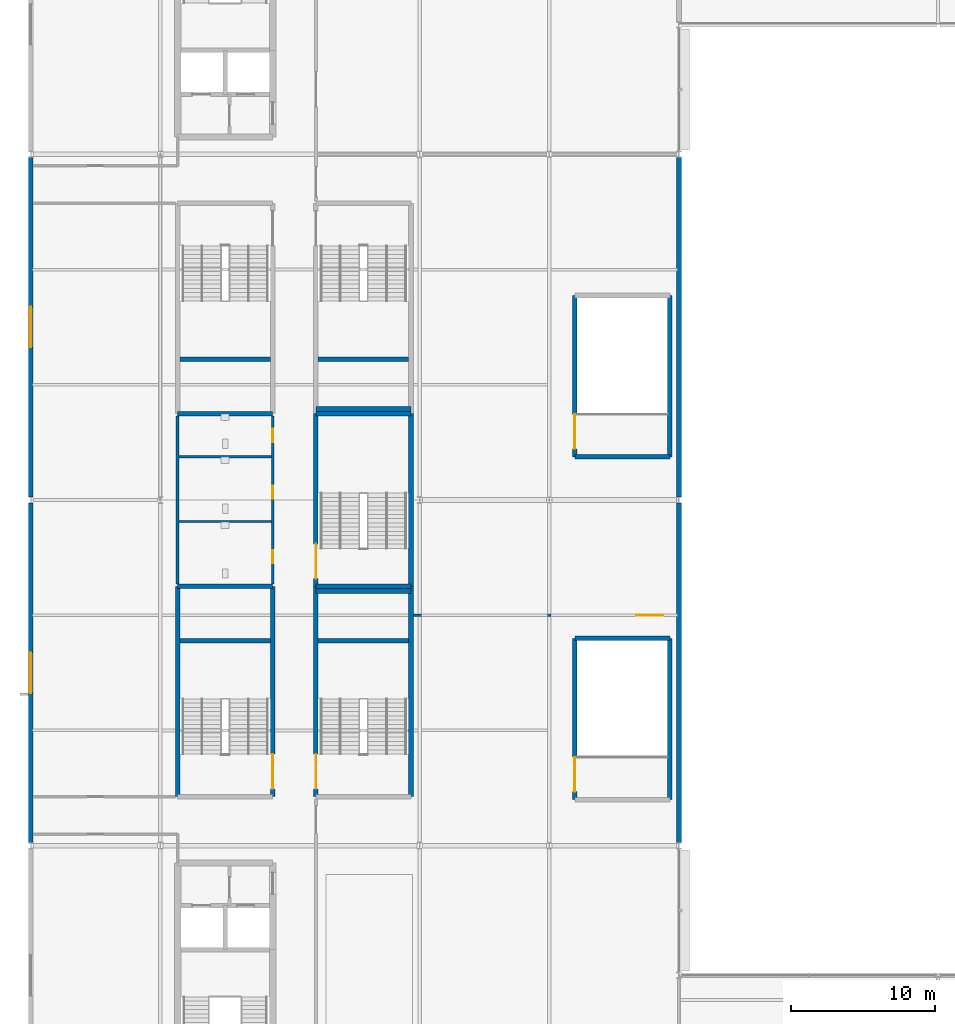
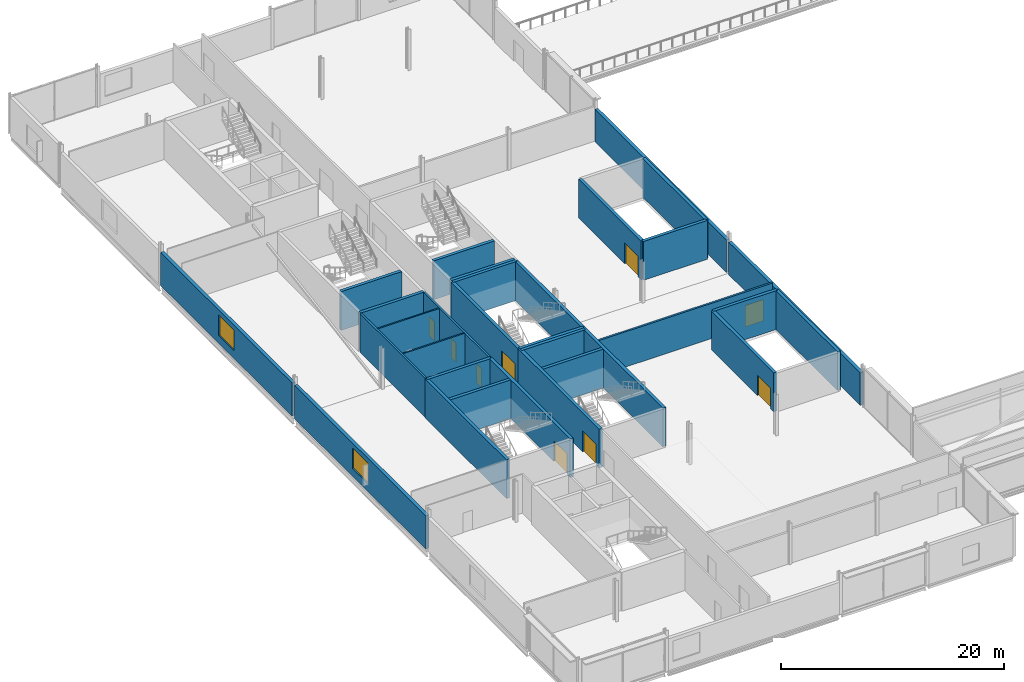
# One storey, part 37 of 73: 31 walls, 9 doors, 2 windows, 11 openings.
"""IFC4 building model written with IfcOpenShell, lengths in metres."""

import ifcopenshell
import ifcopenshell.guid

model = None  # the IFC model being written
_history = None  # IfcOwnerHistory: only IFC2X3 demands one
_inside = {}  # id of a spatial element -> (the spatial element, [elements in it])
_under = {}  # id of a project, library or spatial element -> (it, [spatial elements below it])
_declared = {}  # id of a project -> (the project, [libraries it declares])
_typed = {}  # id of a type object -> (the type object, [elements of that type])
_made_of = {}  # id of a material, layer set ... -> (it, [elements and type objects made of it])


def new_model(schema):
    """Start an empty IFC model of exactly this schema.

    Asked for "IFC4X3", IfcOpenShell would pick the latest addendum, in which some entities
    have other attributes; the version numbers below select the first issue.
    IFC2X3 requires an IfcOwnerHistory on every rooted entity: one is made here for all.
    """
    global model, _history
    if schema == "IFC4X3":
        model = ifcopenshell.file(schema_version=(4, 3, 0, 0))
    else:
        model = ifcopenshell.file(schema=schema)
    _inside.clear()
    _under.clear()
    _declared.clear()
    _typed.clear()
    _made_of.clear()
    _history = None
    if model.schema == "IFC2X3":
        org = make("IfcOrganization", Name="unknown")
        user = make(
            "IfcPersonAndOrganization",
            ThePerson=make("IfcPerson", FamilyName="unknown"),
            TheOrganization=org,
        )
        app = make(
            "IfcApplication",
            ApplicationDeveloper=org,
            Version="unknown",
            ApplicationFullName="unknown",
            ApplicationIdentifier="unknown",
        )
        _history = make(
            "IfcOwnerHistory",
            OwningUser=user,
            OwningApplication=app,
            ChangeAction="ADDED",
            CreationDate=0,
        )
    return model


def make(cls, **values):
    """One entity of the class cls with the attributes given. An attribute that is None is left unset."""
    return model.create_entity(
        cls, **{name: value for name, value in values.items() if value is not None}
    )


def rooted(cls, **values):
    """An entity with a GlobalId (a new one), such as an element, a storey or a relation."""
    return make(cls, GlobalId=ifcopenshell.guid.new(), OwnerHistory=_history, **values)


def si_unit(unit_type, name, prefix=None):
    """IfcSIUnit, for example si_unit("LENGTHUNIT", "METRE", prefix="MILLI")."""
    return make("IfcSIUnit", UnitType=unit_type, Prefix=prefix, Name=name)


def assignment(units):
    """IfcUnitAssignment: the units of a project."""
    return None if units is None else make("IfcUnitAssignment", Units=units)


def point(xyz):
    """IfcCartesianPoint."""
    return None if xyz is None else make("IfcCartesianPoint", Coordinates=xyz)


def direction(xyz):
    """IfcDirection."""
    return None if xyz is None else make("IfcDirection", DirectionRatios=xyz)


def frame(location, z_axis=None, x_axis=None):
    """IfcAxis2Placement3D, a coordinate frame: its origin and axes. An axis left out is left unset."""
    return make(
        "IfcAxis2Placement3D",
        Location=point(location),
        Axis=direction(z_axis),
        RefDirection=direction(x_axis),
    )


def frame_2d(location, x_axis=None):
    """IfcAxis2Placement2D, a coordinate frame in the plane: its origin and x axis."""
    return make(
        "IfcAxis2Placement2D", Location=point(location), RefDirection=direction(x_axis)
    )


def origin():
    """The frame at (0, 0, 0) with its axes left unset."""
    return frame((0.0, 0.0, 0.0))


def place(relative_to, where):
    """IfcLocalPlacement: puts the frame where relative to a parent placement (None: the world)."""
    return make(
        "IfcLocalPlacement", PlacementRelTo=relative_to, RelativePlacement=where
    )


def context(
    kind, dimensions, precision=None, world=None, true_north=None, identifier=None
):
    """IfcGeometricRepresentationContext, for example the 3D "Model" context."""
    return make(
        "IfcGeometricRepresentationContext",
        ContextIdentifier=identifier,
        ContextType=kind,
        CoordinateSpaceDimension=dimensions,
        Precision=precision,
        WorldCoordinateSystem=world,
        TrueNorth=true_north,
    )


def subcontext(parent, identifier, kind, view, scale=None):
    """IfcGeometricRepresentationSubContext, for example "Body" below "Model"."""
    return make(
        "IfcGeometricRepresentationSubContext",
        ContextIdentifier=identifier,
        ContextType=kind,
        ParentContext=parent,
        TargetScale=scale,
        TargetView=view,
    )


def project(units=None, contexts=None):
    """IfcProject with its units and contexts."""
    return rooted(
        "IfcProject",
        Name="project",
        RepresentationContexts=contexts,
        UnitsInContext=assignment(units),
    )


def spatial(cls, under=None, at=None, **own):
    """A site, building, storey or space (cls), placed at a placement, below another one or the project."""
    s = rooted(cls, ObjectPlacement=at, **own)
    if under is not None:
        _under.setdefault(under.id(), (under, []))[1].append(s)
    return s


def profile(cls, at=None, kind="AREA", **sizes):
    """A parametric profile (cls). Its sizes go by their IFC names, for example OverallWidth=200.0."""
    return make(cls, ProfileType=kind, Position=at, **sizes)


def rectangle(**sizes):
    """IfcRectangleProfileDef."""
    return profile("IfcRectangleProfileDef", **sizes)


def extrude(swept, where, along, depth):
    """IfcExtrudedAreaSolid: the profile swept, set in the frame where, extruded along a direction by depth."""
    return make(
        "IfcExtrudedAreaSolid",
        SweptArea=swept,
        Position=where,
        ExtrudedDirection=direction(along),
        Depth=depth,
    )


def shape(context_of_items, identifier, shape_type, items):
    """IfcShapeRepresentation: the items that make up one representation, for example the "Body"."""
    return make(
        "IfcShapeRepresentation",
        ContextOfItems=context_of_items,
        RepresentationIdentifier=identifier,
        RepresentationType=shape_type,
        Items=items,
    )


def material(Name=None, Category=None):
    """IfcMaterial."""
    return make("IfcMaterial", Name=Name, Category=Category)


def layer(
    of_material, thickness, ventilated=None, Name=None, Category=None, Priority=None
):
    """IfcMaterialLayer: one layer of a wall or slab, of a material (None: an air gap)."""
    return make(
        "IfcMaterialLayer",
        Material=of_material,
        LayerThickness=thickness,
        IsVentilated=ventilated,
        Name=Name,
        Category=Category,
        Priority=Priority,
    )


def layer_set(layers, Name=None):
    """IfcMaterialLayerSet."""
    return make("IfcMaterialLayerSet", MaterialLayers=layers, LayerSetName=Name)


def made_of(thing, what):
    """Note that an element or type object is made of a material, layer set ...; save() writes the relation."""
    if what is not None:
        _made_of.setdefault(what.id(), (what, []))[1].append(thing)
    return thing


def type_object(cls, material=None, **own):
    """A type object (cls), such as IfcWallType, which elements share."""
    return made_of(rooted(cls, **own), material)


def element(
    cls,
    number,
    at=None,
    inside=None,
    cuts=None,
    type_object=None,
    material=None,
    context=None,
    identifier="Body",
    shape_type=None,
    held_by="IfcProductDefinitionShape",
    body=None,
    shapes=None,
    **own,
):
    """One element of the class cls, such as IfcWall. Its Tag is "e" and its number.

    at: its placement. inside: the storey or other place that contains it. cuts: it is an
    opening in that element (IfcRelVoidsElement). A single representation is given by context,
    identifier, shape_type and body (its items); several are given by shapes. held_by: the class
    of the entity that holds the representations. save() writes the other relations.
    """
    e = rooted(cls, Tag="e%d" % number, ObjectPlacement=at, **own)
    if body is not None:
        shapes = [shape(context, identifier, shape_type, body)]
    if shapes is not None:
        e.Representation = make(held_by, Representations=shapes)
    if inside is not None:
        _inside.setdefault(inside.id(), (inside, []))[1].append(e)
    if cuts is not None:
        rooted(
            "IfcRelVoidsElement", RelatingBuildingElement=cuts, RelatedOpeningElement=e
        )
    if type_object is not None:
        _typed.setdefault(type_object.id(), (type_object, []))[1].append(e)
    return made_of(e, material)


def fill(opening, filler):
    """IfcRelFillsElement: the door or window that sits in an opening."""
    return rooted(
        "IfcRelFillsElement",
        RelatingOpeningElement=opening,
        RelatedBuildingElement=filler,
    )


def aggregate(whole, parts):
    """IfcRelAggregates: a whole, such as a stair, and the parts it consists of."""
    return rooted("IfcRelAggregates", RelatingObject=whole, RelatedObjects=parts)


def save(model, path):
    """Write the relations noted so far, then the file.

    IfcRelAggregates (storeys below a building ...), IfcRelContainedInSpatialStructure (elements
    in a storey), IfcRelDefinesByType, IfcRelAssociatesMaterial and IfcRelDeclares: one each for
    every whole, place, type object, material and project.
    """
    for whole, parts in _under.values():
        aggregate(whole, parts)
    for where, things in _inside.values():
        rooted(
            "IfcRelContainedInSpatialStructure",
            RelatedElements=things,
            RelatingStructure=where,
        )
    for kind, things in _typed.values():
        rooted("IfcRelDefinesByType", RelatedObjects=things, RelatingType=kind)
    for what, things in _made_of.values():
        rooted("IfcRelAssociatesMaterial", RelatedObjects=things, RelatingMaterial=what)
    for by, libraries in _declared.values():
        rooted("IfcRelDeclares", RelatingContext=by, RelatedDefinitions=libraries)
    model.write(path)


model = new_model("IFC4")

# Units and contexts
model_context = context("Model", 3, precision=1e-05, world=origin(), true_north=direction((0.0, 1.0)))
body_context = subcontext(model_context, "Body", "Model", "MODEL_VIEW")
ifc_project = project(units=[si_unit("LENGTHUNIT", "METRE"), si_unit("AREAUNIT", "SQUARE_METRE"), si_unit("VOLUMEUNIT", "CUBIC_METRE"), si_unit("PLANEANGLEUNIT", "RADIAN"), si_unit("MASSUNIT", "GRAM", prefix="KILO")], contexts=[model_context])

# Site, building, storey
site_placement = place(None, origin())
site = spatial("IfcSite", under=ifc_project, at=site_placement, CompositionType="ELEMENT")
building_placement = place(site_placement, origin())
building = spatial("IfcBuilding", under=site, at=building_placement, Name="Kisiwana Market Hall", CompositionType="ELEMENT")
storey_placement = place(building_placement, frame((0.0, 0.0, 33.300048828125)))
storey = spatial("IfcBuildingStorey", under=building, at=storey_placement, Name="L07", CompositionType="ELEMENT", Elevation=33.300048828125)

# Wall
ifc_material_1 = material(Name="Masonry blockwork", Category="masonry")
ifc_layer_1 = layer(ifc_material_1, 0.199951171875, Name="Plastered fire compartment block wall")
ifc_layer_set_1 = layer_set([ifc_layer_1], Name="WL-COMP-200")
wall_type_1 = type_object("IfcWallType", Name="WL-COMP-200", PredefinedType="PARTITIONING", material=ifc_layer_set_1)
wall_1_placement = place(storey_placement, frame((10.199951171875, 54.159912109375, 0.0), z_axis=(0.0, 0.0, 1.0), x_axis=(0.0, 1.0, 0.0)))
element("IfcWall", 1, at=wall_1_placement, inside=storey, type_object=wall_type_1, Name="Interior partition W-2208", PredefinedType="PARTITIONING", context=body_context, shape_type="SweptSolid", body=[
    extrude(rectangle(XDim=11.68017578125, YDim=0.199951171875, at=frame_2d((5.840087890625, 0.0))), origin(), (0.0, 0.0, 1.0), 4.2548828125),
])

# Wall, openings, doors
wall_2_placement = place(storey_placement, frame((16.800048828125, 54.159912109375, 0.0), z_axis=(0.0, 0.0, 1.0), x_axis=(0.0, 1.0, 0.0)))
wall_2 = element("IfcWall", 2, at=wall_2_placement, inside=storey, type_object=wall_type_1, Name="Interior partition W-2209", PredefinedType="PARTITIONING", context=body_context, shape_type="SweptSolid", body=[
    extrude(rectangle(XDim=11.68017578125, YDim=0.199951171875, at=frame_2d((5.840087890625, 0.0))), origin(), (0.0, 0.0, 1.0), 4.2548828125),
])
opening_1_placement = place(wall_2_placement, frame((1.43994140625, 0.0, 0.0)))
opening_1 = element("IfcOpeningElement", 3, at=opening_1_placement, cuts=wall_2, Name="Opening DR-L07-027", PredefinedType="OPENING", context=body_context, shape_type="SweptSolid", body=[
    extrude(rectangle(XDim=0.89990234375, YDim=2.10009765625, at=frame_2d((0.449951171875, 1.050048828125))), frame((0.0, 0.11181640625, 0.0), z_axis=(0.0, -1.0, 0.0), x_axis=(1.0, 0.0, 0.0)), (0.0, 0.0, 1.0), 0.223876953125),
])
opening_2_placement = place(wall_2_placement, frame((5.93994140625, 0.0, 0.0)))
opening_2 = element("IfcOpeningElement", 4, at=opening_2_placement, cuts=wall_2, Name="Opening DR-L07-028", PredefinedType="OPENING", context=body_context, shape_type="SweptSolid", body=[
    extrude(rectangle(XDim=0.89990234375, YDim=2.10009765625, at=frame_2d((0.449951171875, 1.050048828125))), frame((0.0, 0.11181640625, 0.0), z_axis=(0.0, -1.0, 0.0), x_axis=(1.0, 0.0, 0.0)), (0.0, 0.0, 1.0), 0.223876953125),
])
opening_3_placement = place(wall_2_placement, frame((9.840087890625, 0.0, 0.0)))
opening_3 = element("IfcOpeningElement", 5, at=opening_3_placement, cuts=wall_2, Name="Opening DR-L07-029", PredefinedType="OPENING", context=body_context, shape_type="SweptSolid", body=[
    extrude(rectangle(XDim=0.949951171875, YDim=2.10009765625, at=frame_2d((0.47509765625, 1.050048828125))), frame((0.0, 0.11181640625, 0.0), z_axis=(0.0, -1.0, 0.0), x_axis=(1.0, 0.0, 0.0)), (0.0, 0.0, 1.0), 0.223876953125),
])
ifc_material_2 = material(Name="Aluminium alloy 6063-T6", Category="aluminium")
door_type_1 = type_object("IfcDoorType", Name="DR-WC-ACC-950", OperationType="NOTDEFINED", PredefinedType="DOOR", material=ifc_material_2)
door_1_placement = place(opening_3_placement, origin())
door_1 = element("IfcDoor", 6, at=door_1_placement, inside=storey, type_object=door_type_1, Name="L07 W Accessible WC Door", OperationType="SINGLE_SWING_RIGHT", OverallHeight=2.10009765625, OverallWidth=0.949951171875, PredefinedType="DOOR", context=body_context, shape_type="SweptSolid", body=[
    extrude(rectangle(XDim=0.949951171875, YDim=2.10009765625, at=frame_2d((0.47509765625, 1.050048828125))), frame((0.0, 0.02490234375, 0.0), z_axis=(0.0, -1.0, 0.0), x_axis=(1.0, 0.0, 0.0)), (0.0, 0.0, 1.0), 0.050048828125),
])
fill(opening_3, door_1)
ifc_material_3 = material(Name="Aluminium alloy 6063-T6", Category="aluminium")
door_type_2 = type_object("IfcDoorType", Name="DR-WC-STD-900", OperationType="NOTDEFINED", PredefinedType="DOOR", material=ifc_material_3)
door_2_placement = place(opening_1_placement, origin())
door_2 = element("IfcDoor", 7, at=door_2_placement, inside=storey, type_object=door_type_2, Name="L07 W Male Toilet Door", OperationType="SINGLE_SWING_LEFT", OverallHeight=2.10009765625, OverallWidth=0.89990234375, PredefinedType="DOOR", context=body_context, shape_type="SweptSolid", body=[
    extrude(rectangle(XDim=0.89990234375, YDim=2.10009765625, at=frame_2d((0.449951171875, 1.050048828125))), frame((0.0, 0.02490234375, 0.0), z_axis=(0.0, -1.0, 0.0), x_axis=(1.0, 0.0, 0.0)), (0.0, 0.0, 1.0), 0.050048828125),
])
fill(opening_1, door_2)
door_3_placement = place(opening_2_placement, origin())
door_3 = element("IfcDoor", 8, at=door_3_placement, inside=storey, type_object=door_type_2, Name="L07 W Female Toilet Door", OperationType="SINGLE_SWING_RIGHT", OverallHeight=2.10009765625, OverallWidth=0.89990234375, PredefinedType="DOOR", context=body_context, shape_type="SweptSolid", body=[
    extrude(rectangle(XDim=0.89990234375, YDim=2.10009765625, at=frame_2d((0.449951171875, 1.050048828125))), frame((0.0, 0.02490234375, 0.0), z_axis=(0.0, -1.0, 0.0), x_axis=(1.0, 0.0, 0.0)), (0.0, 0.0, 1.0), 0.050048828125),
])
fill(opening_2, door_3)

# Wall, opening, door
wall_3_placement = place(storey_placement, frame((26.56005859375, 52.0, 0.0), z_axis=(0.0, 0.0, 1.0), x_axis=(1.0, 0.0, 0.0)))
wall_3 = element("IfcWall", 9, at=wall_3_placement, inside=storey, type_object=wall_type_1, Name="Interior partition W-2226", PredefinedType="PARTITIONING", context=body_context, shape_type="SweptSolid", body=[
    extrude(rectangle(XDim=18.27001953125, YDim=0.199951171875, at=frame_2d((9.135009765625, 0.0))), origin(), (0.0, 0.0, 1.0), 3.868408203125),
])
opening_4_placement = place(wall_3_placement, frame((15.4599609375, 0.0, 0.0)))
opening_4 = element("IfcOpeningElement", 10, at=opening_4_placement, cuts=wall_3, Name="Opening DR-L07-037", PredefinedType="OPENING", context=body_context, shape_type="SweptSolid", body=[
    extrude(rectangle(XDim=1.89990234375, YDim=2.35009765625, at=frame_2d((0.949951171875, 1.175048828125))), frame((0.0, 0.11181640625, 0.0), z_axis=(0.0, -1.0, 0.0), x_axis=(1.0, 0.0, 0.0)), (0.0, 0.0, 1.0), 0.223876953125),
])
ifc_material_4 = material(Name="Steel S275", Category="steel")
door_type_3 = type_object("IfcDoorType", Name="DR-HALL-1900", OperationType="DOUBLE_DOOR_SINGLE_SWING", PredefinedType="DOOR", material=ifc_material_4)
door_4_placement = place(opening_4_placement, origin())
door_4 = element("IfcDoor", 11, at=door_4_placement, inside=storey, type_object=door_type_3, Name="L07 W Town-Hall Briefing Room Exit Door", OperationType="DOUBLE_DOOR_SINGLE_SWING", OverallHeight=2.35009765625, OverallWidth=1.89990234375, PredefinedType="DOOR", context=body_context, shape_type="SweptSolid", body=[
    extrude(rectangle(XDim=1.89990234375, YDim=2.35009765625, at=frame_2d((0.949951171875, 1.175048828125))), frame((0.0, 0.02490234375, 0.0), z_axis=(0.0, -1.0, 0.0), x_axis=(1.0, 0.0, 0.0)), (0.0, 0.0, 1.0), 0.050048828125),
])
fill(opening_4, door_4)

# Walls
ifc_material_5 = material(Name="Concrete C40/50", Category="concrete")
ifc_layer_2 = layer(ifc_material_5, 0.320068359375, Name="Reinforced concrete shaft wall")
ifc_layer_set_2 = layer_set([ifc_layer_2], Name="WL-CORE-320")
wall_type_2 = type_object("IfcWallType", Name="WL-CORE-320", PredefinedType="SHEAR", material=ifc_layer_set_2)
wall_4_placement = place(storey_placement, frame((10.199951171875, 54.0, 0.0), z_axis=(0.0, 0.0, 1.0), x_axis=(1.0, 0.0, 0.0)))
element("IfcWall", 12, at=wall_4_placement, inside=storey, type_object=wall_type_2, Name="Core W3 north shear wall W-2115", PredefinedType="SHEAR", context=body_context, shape_type="SweptSolid", body=[
    extrude(rectangle(XDim=6.60009765625, YDim=0.320068359375, at=frame_2d((3.300048828125, 0.0))), origin(), (0.0, 0.0, 1.0), 4.2548828125),
])
wall_5_placement = place(storey_placement, frame((10.199951171875, 39.39990234375, 0.0), z_axis=(0.0, 0.0, 1.0), x_axis=(0.0, 1.0, 0.0)))
element("IfcWall", 13, at=wall_5_placement, inside=storey, type_object=wall_type_2, Name="Core W3 outer shear wall W-2116", PredefinedType="SHEAR", context=body_context, shape_type="SweptSolid", body=[
    extrude(rectangle(XDim=14.60009765625, YDim=0.320068359375, at=frame_2d((7.300048828125, 0.0))), origin(), (0.0, 0.0, 1.0), 4.2548828125),
])

# Wall, opening, door
wall_6_placement = place(storey_placement, frame((16.800048828125, 39.39990234375, 0.0), z_axis=(0.0, 0.0, 1.0), x_axis=(0.0, 1.0, 0.0)))
wall_6 = element("IfcWall", 14, at=wall_6_placement, inside=storey, type_object=wall_type_2, Name="Core W3 corridor shear wall W-2117", PredefinedType="SHEAR", context=body_context, shape_type="SweptSolid", body=[
    extrude(rectangle(XDim=14.60009765625, YDim=0.320068359375, at=frame_2d((7.300048828125, 0.0))), origin(), (0.0, 0.0, 1.0), 4.2548828125),
])
opening_5_placement = place(wall_6_placement, frame((0.550048828125, 0.0, 0.0)))
opening_5 = element("IfcOpeningElement", 15, at=opening_5_placement, cuts=wall_6, Name="Opening DR-L07-013", PredefinedType="OPENING", context=body_context, shape_type="SweptSolid", body=[
    extrude(rectangle(XDim=2.39990234375, YDim=2.25, at=frame_2d((1.199951171875, 1.125))), frame((0.0, 0.171875, 0.0), z_axis=(0.0, -1.0, 0.0), x_axis=(1.0, 0.0, 0.0)), (0.0, 0.0, 1.0), 0.343994140625),
])
ifc_material_6 = material(Name="Steel S275", Category="steel")
door_type_4 = type_object("IfcDoorType", Name="DR-STAIR-FD120-2400", OperationType="DOUBLE_DOOR_SINGLE_SWING", PredefinedType="DOOR", material=ifc_material_6)
door_5_placement = place(opening_5_placement, origin())
door_5 = element("IfcDoor", 16, at=door_5_placement, inside=storey, type_object=door_type_4, Name="Escape Stair W3 Fire Door (L07)", OperationType="DOUBLE_DOOR_SINGLE_SWING", OverallHeight=2.25, OverallWidth=2.39990234375, PredefinedType="DOOR", context=body_context, shape_type="SweptSolid", body=[
    extrude(rectangle(XDim=2.39990234375, YDim=2.25, at=frame_2d((1.199951171875, 1.125))), frame((0.0, 0.02490234375, 0.0), z_axis=(0.0, -1.0, 0.0), x_axis=(1.0, 0.0, 0.0)), (0.0, 0.0, 1.0), 0.050048828125),
])
fill(opening_5, door_5)

# Walls
wall_7_placement = place(storey_placement, frame((10.360107421875, 50.219970703125, 0.0), z_axis=(0.0, 0.0, 1.0), x_axis=(1.0, 0.0, 0.0)))
element("IfcWall", 17, at=wall_7_placement, inside=storey, type_object=wall_type_2, Name="Core W3 riser divider shear wall W-2118", PredefinedType="SHEAR", context=body_context, shape_type="SweptSolid", body=[
    extrude(rectangle(XDim=6.27978515625, YDim=0.320068359375, at=frame_2d((3.139892578125, 0.0))), origin(), (0.0, 0.0, 1.0), 4.2548828125),
])
wall_8_placement = place(storey_placement, frame((10.199951171875, 66.0, 0.0), z_axis=(0.0, 0.0, 1.0), x_axis=(1.0, 0.0, 0.0)))
element("IfcWall", 18, at=wall_8_placement, inside=storey, type_object=wall_type_2, Name="Core W4 south shear wall W-2119", PredefinedType="SHEAR", context=body_context, shape_type="SweptSolid", body=[
    extrude(rectangle(XDim=6.60009765625, YDim=0.320068359375, at=frame_2d((3.300048828125, 0.0))), origin(), (0.0, 0.0, 1.0), 4.2548828125),
])
wall_9_placement = place(storey_placement, frame((10.360107421875, 69.780029296875, 0.0), z_axis=(0.0, 0.0, 1.0), x_axis=(1.0, 0.0, 0.0)))
element("IfcWall", 19, at=wall_9_placement, inside=storey, type_object=wall_type_2, Name="Core W4 riser divider shear wall W-2123", PredefinedType="SHEAR", context=body_context, shape_type="SweptSolid", body=[
    extrude(rectangle(XDim=6.27978515625, YDim=0.320068359375, at=frame_2d((3.139892578125, 0.0))), origin(), (0.0, 0.0, 1.0), 4.2548828125),
])
wall_10_placement = place(storey_placement, frame((19.800048828125, 54.0, 0.0), z_axis=(0.0, 0.0, 1.0), x_axis=(1.0, 0.0, 0.0)))
element("IfcWall", 20, at=wall_10_placement, inside=storey, type_object=wall_type_2, Name="Core W7 north shear wall W-2135", PredefinedType="SHEAR", context=body_context, shape_type="SweptSolid", body=[
    extrude(rectangle(XDim=6.599853515625, YDim=0.320068359375, at=frame_2d((3.2998046875, 0.0))), origin(), (0.0, 0.0, 1.0), 4.2548828125),
])

# Wall, opening, door
wall_11_placement = place(storey_placement, frame((19.800048828125, 39.39990234375, 0.0), z_axis=(0.0, 0.0, 1.0), x_axis=(0.0, 1.0, 0.0)))
wall_11 = element("IfcWall", 21, at=wall_11_placement, inside=storey, type_object=wall_type_2, Name="Core W7 corridor shear wall W-2136", PredefinedType="SHEAR", context=body_context, shape_type="SweptSolid", body=[
    extrude(rectangle(XDim=14.60009765625, YDim=0.320068359375, at=frame_2d((7.300048828125, 0.0))), origin(), (0.0, 0.0, 1.0), 4.2548828125),
])
opening_6_placement = place(wall_11_placement, frame((0.550048828125, 0.0, 0.0)))
opening_6 = element("IfcOpeningElement", 22, at=opening_6_placement, cuts=wall_11, Name="Opening DR-L07-017", PredefinedType="OPENING", context=body_context, shape_type="SweptSolid", body=[
    extrude(rectangle(XDim=2.39990234375, YDim=2.25, at=frame_2d((1.199951171875, 1.125))), frame((0.0, 0.171875, 0.0), z_axis=(0.0, -1.0, 0.0), x_axis=(1.0, 0.0, 0.0)), (0.0, 0.0, 1.0), 0.343994140625),
])
door_6_placement = place(opening_6_placement, frame((2.39990234375, 0.0, 0.0), z_axis=(0.0, 0.0, 1.0), x_axis=(-1.0, 0.0, 0.0)))
door_6 = element("IfcDoor", 23, at=door_6_placement, inside=storey, type_object=door_type_4, Name="Escape Stair W7 Fire Door (L07)", OperationType="DOUBLE_DOOR_SINGLE_SWING", OverallHeight=2.25, OverallWidth=2.39990234375, PredefinedType="DOOR", context=body_context, shape_type="SweptSolid", body=[
    extrude(rectangle(XDim=2.39990234375, YDim=2.25, at=frame_2d((1.199951171875, 1.125))), frame((0.0, 0.02490234375, 0.0), z_axis=(0.0, -1.0, 0.0), x_axis=(1.0, 0.0, 0.0)), (0.0, 0.0, 1.0), 0.050048828125),
])
fill(opening_6, door_6)

# Walls
wall_12_placement = place(storey_placement, frame((26.39990234375, 39.39990234375, 0.0), z_axis=(0.0, 0.0, 1.0), x_axis=(0.0, 1.0, 0.0)))
element("IfcWall", 24, at=wall_12_placement, inside=storey, type_object=wall_type_2, Name="Core W7 outer shear wall W-2137", PredefinedType="SHEAR", context=body_context, shape_type="SweptSolid", body=[
    extrude(rectangle(XDim=14.60009765625, YDim=0.320068359375, at=frame_2d((7.300048828125, 0.0))), origin(), (0.0, 0.0, 1.0), 4.2548828125),
])
wall_13_placement = place(storey_placement, frame((19.9599609375, 50.219970703125, 0.0), z_axis=(0.0, 0.0, 1.0), x_axis=(1.0, 0.0, 0.0)))
element("IfcWall", 25, at=wall_13_placement, inside=storey, type_object=wall_type_2, Name="Core W7 riser divider shear wall W-2138", PredefinedType="SHEAR", context=body_context, shape_type="SweptSolid", body=[
    extrude(rectangle(XDim=6.280029296875, YDim=0.320068359375, at=frame_2d((3.14013671875, 0.0))), origin(), (0.0, 0.0, 1.0), 4.2548828125),
])
wall_14_placement = place(storey_placement, frame((19.800048828125, 66.0, 0.0), z_axis=(0.0, 0.0, 1.0), x_axis=(1.0, 0.0, 0.0)))
element("IfcWall", 26, at=wall_14_placement, inside=storey, type_object=wall_type_2, Name="Core W8 south shear wall W-2144", PredefinedType="SHEAR", context=body_context, shape_type="SweptSolid", body=[
    extrude(rectangle(XDim=6.599853515625, YDim=0.320068359375, at=frame_2d((3.2998046875, 0.0))), origin(), (0.0, 0.0, 1.0), 4.2548828125),
])
wall_15_placement = place(storey_placement, frame((19.9599609375, 69.780029296875, 0.0), z_axis=(0.0, 0.0, 1.0), x_axis=(1.0, 0.0, 0.0)))
element("IfcWall", 27, at=wall_15_placement, inside=storey, type_object=wall_type_2, Name="Core W8 riser divider shear wall W-2148", PredefinedType="SHEAR", context=body_context, shape_type="SweptSolid", body=[
    extrude(rectangle(XDim=6.280029296875, YDim=0.320068359375, at=frame_2d((3.14013671875, 0.0))), origin(), (0.0, 0.0, 1.0), 4.2548828125),
])
wall_16_placement = place(storey_placement, frame((37.77001953125, 50.39990234375, 0.0), z_axis=(0.0, 0.0, 1.0), x_axis=(1.0, 0.0, 0.0)))
element("IfcWall", 28, at=wall_16_placement, inside=storey, type_object=wall_type_2, Name="Core W9 north shear wall W-2155", PredefinedType="SHEAR", context=body_context, shape_type="SweptSolid", body=[
    extrude(rectangle(XDim=6.60009765625, YDim=0.320068359375, at=frame_2d((3.300048828125, 0.0))), origin(), (0.0, 0.0, 1.0), 4.2548828125),
])

# Wall, opening, door
wall_17_placement = place(storey_placement, frame((37.77001953125, 39.199951171875, 0.0), z_axis=(0.0, 0.0, 1.0), x_axis=(0.0, 1.0, 0.0)))
wall_17 = element("IfcWall", 29, at=wall_17_placement, inside=storey, type_object=wall_type_2, Name="Core W9 corridor shear wall W-2156", PredefinedType="SHEAR", context=body_context, shape_type="SweptSolid", body=[
    extrude(rectangle(XDim=11.199951171875, YDim=0.320068359375, at=frame_2d((5.60009765625, 0.0))), origin(), (0.0, 0.0, 1.0), 4.2548828125),
])
opening_7_placement = place(wall_17_placement, frame((0.550048828125, 0.0, 0.0)))
opening_7 = element("IfcOpeningElement", 30, at=opening_7_placement, cuts=wall_17, Name="Opening DR-L07-021", PredefinedType="OPENING", context=body_context, shape_type="SweptSolid", body=[
    extrude(rectangle(XDim=2.39990234375, YDim=2.25, at=frame_2d((1.199951171875, 1.125))), frame((0.0, 0.171875, 0.0), z_axis=(0.0, -1.0, 0.0), x_axis=(1.0, 0.0, 0.0)), (0.0, 0.0, 1.0), 0.343994140625),
])
door_7_placement = place(opening_7_placement, frame((2.39990234375, 0.0, 0.0), z_axis=(0.0, 0.0, 1.0), x_axis=(-1.0, 0.0, 0.0)))
door_7 = element("IfcDoor", 31, at=door_7_placement, inside=storey, type_object=door_type_4, Name="Escape Stair W9 Fire Door (L07)", OperationType="DOUBLE_DOOR_SINGLE_SWING", OverallHeight=2.25, OverallWidth=2.39990234375, PredefinedType="DOOR", context=body_context, shape_type="SweptSolid", body=[
    extrude(rectangle(XDim=2.39990234375, YDim=2.25, at=frame_2d((1.199951171875, 1.125))), frame((0.0, 0.02490234375, 0.0), z_axis=(0.0, -1.0, 0.0), x_axis=(1.0, 0.0, 0.0)), (0.0, 0.0, 1.0), 0.050048828125),
])
fill(opening_7, door_7)

# Walls
wall_18_placement = place(storey_placement, frame((44.3701171875, 39.199951171875, 0.0), z_axis=(0.0, 0.0, 1.0), x_axis=(0.0, 1.0, 0.0)))
element("IfcWall", 32, at=wall_18_placement, inside=storey, type_object=wall_type_2, Name="Core W9 outer shear wall W-2157", PredefinedType="SHEAR", context=body_context, shape_type="SweptSolid", body=[
    extrude(rectangle(XDim=11.199951171875, YDim=0.320068359375, at=frame_2d((5.60009765625, 0.0))), origin(), (0.0, 0.0, 1.0), 4.2548828125),
])
wall_19_placement = place(storey_placement, frame((37.77001953125, 63.0, 0.0), z_axis=(0.0, 0.0, 1.0), x_axis=(1.0, 0.0, 0.0)))
element("IfcWall", 33, at=wall_19_placement, inside=storey, type_object=wall_type_2, Name="Core W10 south shear wall W-2162", PredefinedType="SHEAR", context=body_context, shape_type="SweptSolid", body=[
    extrude(rectangle(XDim=6.60009765625, YDim=0.320068359375, at=frame_2d((3.300048828125, 0.0))), origin(), (0.0, 0.0, 1.0), 4.2548828125),
])

# Wall, opening, door
wall_20_placement = place(storey_placement, frame((37.77001953125, 63.0, 0.0), z_axis=(0.0, 0.0, 1.0), x_axis=(0.0, 1.0, 0.0)))
wall_20 = element("IfcWall", 34, at=wall_20_placement, inside=storey, type_object=wall_type_2, Name="Core W10 corridor shear wall W-2164", PredefinedType="SHEAR", context=body_context, shape_type="SweptSolid", body=[
    extrude(rectangle(XDim=11.199951171875, YDim=0.320068359375, at=frame_2d((5.60009765625, 0.0))), origin(), (0.0, 0.0, 1.0), 4.2548828125),
])
opening_8_placement = place(wall_20_placement, frame((0.550048828125, 0.0, 0.0)))
opening_8 = element("IfcOpeningElement", 35, at=opening_8_placement, cuts=wall_20, Name="Opening DR-L07-023", PredefinedType="OPENING", context=body_context, shape_type="SweptSolid", body=[
    extrude(rectangle(XDim=2.39990234375, YDim=2.25, at=frame_2d((1.199951171875, 1.125))), frame((0.0, 0.171875, 0.0), z_axis=(0.0, -1.0, 0.0), x_axis=(1.0, 0.0, 0.0)), (0.0, 0.0, 1.0), 0.343994140625),
])
door_8_placement = place(opening_8_placement, frame((2.39990234375, 0.0, 0.0), z_axis=(0.0, 0.0, 1.0), x_axis=(-1.0, 0.0, 0.0)))
door_8 = element("IfcDoor", 36, at=door_8_placement, inside=storey, type_object=door_type_4, Name="Escape Stair W10 Fire Door (L07)", OperationType="DOUBLE_DOOR_SINGLE_SWING", OverallHeight=2.25, OverallWidth=2.39990234375, PredefinedType="DOOR", context=body_context, shape_type="SweptSolid", body=[
    extrude(rectangle(XDim=2.39990234375, YDim=2.25, at=frame_2d((1.199951171875, 1.125))), frame((0.0, 0.02490234375, 0.0), z_axis=(0.0, -1.0, 0.0), x_axis=(1.0, 0.0, 0.0)), (0.0, 0.0, 1.0), 0.050048828125),
])
fill(opening_8, door_8)

# Walls
wall_21_placement = place(storey_placement, frame((44.3701171875, 63.0, 0.0), z_axis=(0.0, 0.0, 1.0), x_axis=(0.0, 1.0, 0.0)))
element("IfcWall", 37, at=wall_21_placement, inside=storey, type_object=wall_type_2, Name="Core W10 outer shear wall W-2165", PredefinedType="SHEAR", context=body_context, shape_type="SweptSolid", body=[
    extrude(rectangle(XDim=11.199951171875, YDim=0.320068359375, at=frame_2d((5.60009765625, 0.0))), origin(), (0.0, 0.0, 1.0), 4.2548828125),
])
for number, where, z_axis, x_axis, name in (
    (38, (19.800048828125, 53.679931640625, 0.0), (0.0, 0.0, 1.0), (1.0, 0.0, 0.0), "Core W5 south shear wall W-2170"),
    (39, (19.800048828125, 66.320068359375, 0.0), (0.0, 0.0, 1.0), (1.0, 0.0, 0.0), "Core W5 north shear wall W-2171"),
):
    element("IfcWall", number, at=place(storey_placement, frame(where, z_axis=z_axis, x_axis=x_axis)), inside=storey, type_object=wall_type_2, Name=name, PredefinedType="SHEAR", context=body_context, shape_type="SweptSolid", body=[
        extrude(rectangle(XDim=6.599853515625, YDim=0.320068359375, at=frame_2d((3.2998046875, 0.0))), origin(), (0.0, 0.0, 1.0), 4.2548828125),
    ])

# Wall, opening, door
wall_22_placement = place(storey_placement, frame((19.800048828125, 54.0, 0.0), z_axis=(0.0, 0.0, 1.0), x_axis=(0.0, 1.0, 0.0)))
wall_22 = element("IfcWall", 40, at=wall_22_placement, inside=storey, type_object=wall_type_2, Name="Core W5 corridor shear wall W-2172", PredefinedType="SHEAR", context=body_context, shape_type="SweptSolid", body=[
    extrude(rectangle(XDim=12.0, YDim=0.320068359375, at=frame_2d((6.0, 0.0))), origin(), (0.0, 0.0, 1.0), 4.2548828125),
])
opening_9_placement = place(wall_22_placement, frame((0.550048828125, 0.0, 0.0)))
opening_9 = element("IfcOpeningElement", 41, at=opening_9_placement, cuts=wall_22, Name="Opening DR-L07-025", PredefinedType="OPENING", context=body_context, shape_type="SweptSolid", body=[
    extrude(rectangle(XDim=2.39990234375, YDim=2.25, at=frame_2d((1.199951171875, 1.125))), frame((0.0, 0.171875, 0.0), z_axis=(0.0, -1.0, 0.0), x_axis=(1.0, 0.0, 0.0)), (0.0, 0.0, 1.0), 0.343994140625),
])
door_9_placement = place(opening_9_placement, frame((2.39990234375, 0.0, 0.0), z_axis=(0.0, 0.0, 1.0), x_axis=(-1.0, 0.0, 0.0)))
door_9 = element("IfcDoor", 42, at=door_9_placement, inside=storey, type_object=door_type_4, Name="Escape Stair W5 Fire Door (L07)", OperationType="DOUBLE_DOOR_SINGLE_SWING", OverallHeight=2.25, OverallWidth=2.39990234375, PredefinedType="DOOR", context=body_context, shape_type="SweptSolid", body=[
    extrude(rectangle(XDim=2.39990234375, YDim=2.25, at=frame_2d((1.199951171875, 1.125))), frame((0.0, 0.02490234375, 0.0), z_axis=(0.0, -1.0, 0.0), x_axis=(1.0, 0.0, 0.0)), (0.0, 0.0, 1.0), 0.050048828125),
])
fill(opening_9, door_9)

# Wall
wall_23_placement = place(storey_placement, frame((26.39990234375, 54.0, 0.0), z_axis=(0.0, 0.0, 1.0), x_axis=(0.0, 1.0, 0.0)))
element("IfcWall", 43, at=wall_23_placement, inside=storey, type_object=wall_type_2, Name="Core W5 outer shear wall W-2173", PredefinedType="SHEAR", context=body_context, shape_type="SweptSolid", body=[
    extrude(rectangle(XDim=12.0, YDim=0.320068359375, at=frame_2d((6.0, 0.0))), origin(), (0.0, 0.0, 1.0), 4.2548828125),
])

# Wall, opening, window
ifc_material_7 = material(Name="Concrete C40/50 precast", Category="concrete")
ifc_layer_3 = layer(ifc_material_7, 0.14990234375, Name="Precast architectural concrete spandrel")
ifc_material_8 = material(Name="Mineral wool insulation")
ifc_layer_4 = layer(ifc_material_8, 0.090087890625, Name="Rockwool thermal insulation")
ifc_material_9 = material(Name="Masonry blockwork", Category="masonry")
ifc_layer_5 = layer(ifc_material_9, 0.10009765625, Name="Inner masonry block leaf")
ifc_layer_set_3 = layer_set([ifc_layer_3, ifc_layer_4, ifc_layer_5], Name="WL-EXT-PREC-340")
wall_type_3 = type_object("IfcWallType", Name="WL-EXT-PREC-340", PredefinedType="STANDARD", material=ifc_layer_set_3)
wall_24_placement = place(storey_placement, frame((0.0, 36.197998046875, 0.0), z_axis=(0.0, 0.0, 1.0), x_axis=(0.0, 1.0, 0.0)))
wall_24 = element("IfcWall", 44, at=wall_24_placement, inside=storey, type_object=wall_type_3, Name="Exterior wall W-2189", PredefinedType="STANDARD", context=body_context, shape_type="SweptSolid", body=[
    extrude(rectangle(XDim=23.60400390625, YDim=0.340087890625, at=frame_2d((11.802001953125, 0.0))), origin(), (0.0, 0.0, 1.0), 3.642822265625),
])
opening_10_placement = place(wall_24_placement, frame((10.402099609375, 0.0, 0.85009765625)))
opening_10 = element("IfcOpeningElement", 45, at=opening_10_placement, cuts=wall_24, Name="Opening WN-03", PredefinedType="OPENING", context=body_context, shape_type="SweptSolid", body=[
    extrude(rectangle(XDim=2.800048828125, YDim=2.25, at=frame_2d((1.39990234375, 1.125))), frame((0.0, 0.18212890625, 0.0), z_axis=(0.0, -1.0, 0.0), x_axis=(1.0, 0.0, 0.0)), (0.0, 0.0, 1.0), 0.364013671875),
])
ifc_material_10 = material(Name="Double-glazed solar-control low-E IGU", Category="glass")
window_type = type_object("IfcWindowType", Name="WN-SKYB-2800x2250", PartitioningType="SINGLE_PANEL", PredefinedType="WINDOW", material=ifc_material_10)
window_1_placement = place(opening_10_placement, origin())
window_1 = element("IfcWindow", 46, at=window_1_placement, inside=storey, type_object=window_type, Name="Exterior window WN-219", OverallHeight=2.25, OverallWidth=2.800048828125, PartitioningType="SINGLE_PANEL", PredefinedType="WINDOW", context=body_context, shape_type="SweptSolid", body=[
    extrude(rectangle(XDim=2.800048828125, YDim=2.25, at=frame_2d((1.39990234375, 1.125))), frame((0.0, 0.030029296875, 0.0), z_axis=(0.0, -1.0, 0.0), x_axis=(1.0, 0.0, 0.0)), (0.0, 0.0, 1.0), 0.06005859375),
])
fill(opening_10, window_1)

wall_25_placement = place(storey_placement, frame((0.0, 60.197998046875, 0.0), z_axis=(0.0, 0.0, 1.0), x_axis=(0.0, 1.0, 0.0)))
wall_25 = element("IfcWall", 47, at=wall_25_placement, inside=storey, type_object=wall_type_3, Name="Exterior wall W-2190", PredefinedType="STANDARD", context=body_context, shape_type="SweptSolid", body=[
    extrude(rectangle(XDim=23.60400390625, YDim=0.340087890625, at=frame_2d((11.802001953125, 0.0))), origin(), (0.0, 0.0, 1.0), 3.642822265625),
])
opening_11_placement = place(wall_25_placement, frame((10.402099609375, 0.0, 0.85009765625)))
opening_11 = element("IfcOpeningElement", 48, at=opening_11_placement, cuts=wall_25, Name="Opening WN-03", PredefinedType="OPENING", context=body_context, shape_type="SweptSolid", body=[
    extrude(rectangle(XDim=2.800048828125, YDim=2.25, at=frame_2d((1.39990234375, 1.125))), frame((0.0, 0.18212890625, 0.0), z_axis=(0.0, -1.0, 0.0), x_axis=(1.0, 0.0, 0.0)), (0.0, 0.0, 1.0), 0.364013671875),
])
window_2_placement = place(opening_11_placement, origin())
window_2 = element("IfcWindow", 49, at=window_2_placement, inside=storey, type_object=window_type, Name="Exterior window WN-220", OverallHeight=2.25, OverallWidth=2.800048828125, PartitioningType="SINGLE_PANEL", PredefinedType="WINDOW", context=body_context, shape_type="SweptSolid", body=[
    extrude(rectangle(XDim=2.800048828125, YDim=2.25, at=frame_2d((1.39990234375, 1.125))), frame((0.0, 0.030029296875, 0.0), z_axis=(0.0, -1.0, 0.0), x_axis=(1.0, 0.0, 0.0)), (0.0, 0.0, 1.0), 0.06005859375),
])
fill(opening_11, window_2)

# Walls
for number, where, z_axis, x_axis, name in (
    (50, (45.0, 36.197998046875, 0.0), (0.0, 0.0, 1.0), (0.0, 1.0, 0.0), "Exterior wall W-2193"),
    (51, (45.0, 60.197998046875, 0.0), (0.0, 0.0, 1.0), (0.0, 1.0, 0.0), "Exterior wall W-2194"),
):
    element("IfcWall", number, at=place(storey_placement, frame(where, z_axis=z_axis, x_axis=x_axis)), inside=storey, type_object=wall_type_3, Name=name, PredefinedType="STANDARD", context=body_context, shape_type="SweptSolid", body=[
        extrude(rectangle(XDim=23.60400390625, YDim=0.340087890625, at=frame_2d((11.802001953125, 0.0))), origin(), (0.0, 0.0, 1.0), 3.562744140625),
    ])
ifc_material_11 = material(Name="Masonry blockwork", Category="masonry")
ifc_layer_6 = layer(ifc_material_11, 0.14990234375, Name="Water-resistant sanitary block wall")
ifc_layer_set_4 = layer_set([ifc_layer_6], Name="WL-WET-150")
wall_type_4 = type_object("IfcWallType", Name="WL-WET-150", PredefinedType="PARTITIONING", material=ifc_layer_set_4)
for number, where, z_axis, x_axis, name in (
    (52, (10.284912109375, 58.5, 0.0), (0.0, 0.0, 1.0), (1.0, 0.0, 0.0), "Interior partition W-2210"),
    (53, (10.284912109375, 63.0, 0.0), (0.0, 0.0, 1.0), (1.0, 0.0, 0.0), "Interior partition W-2211"),
):
    element("IfcWall", number, at=place(storey_placement, frame(where, z_axis=z_axis, x_axis=x_axis)), inside=storey, type_object=wall_type_4, Name=name, PredefinedType="PARTITIONING", context=body_context, shape_type="SweptSolid", body=[
        extrude(rectangle(XDim=6.43017578125, YDim=0.14990234375, at=frame_2d((3.215087890625, 0.0))), origin(), (0.0, 0.0, 1.0), 4.2548828125),
    ])

save(model, "model.ifc")
